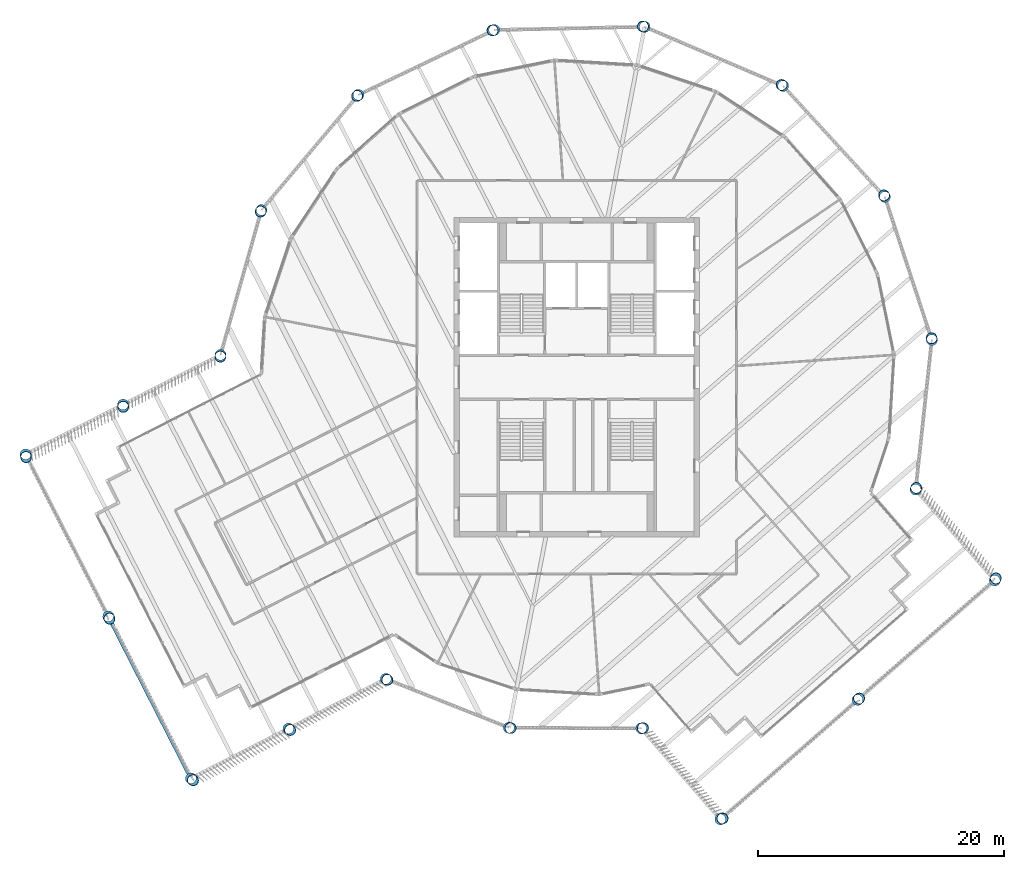
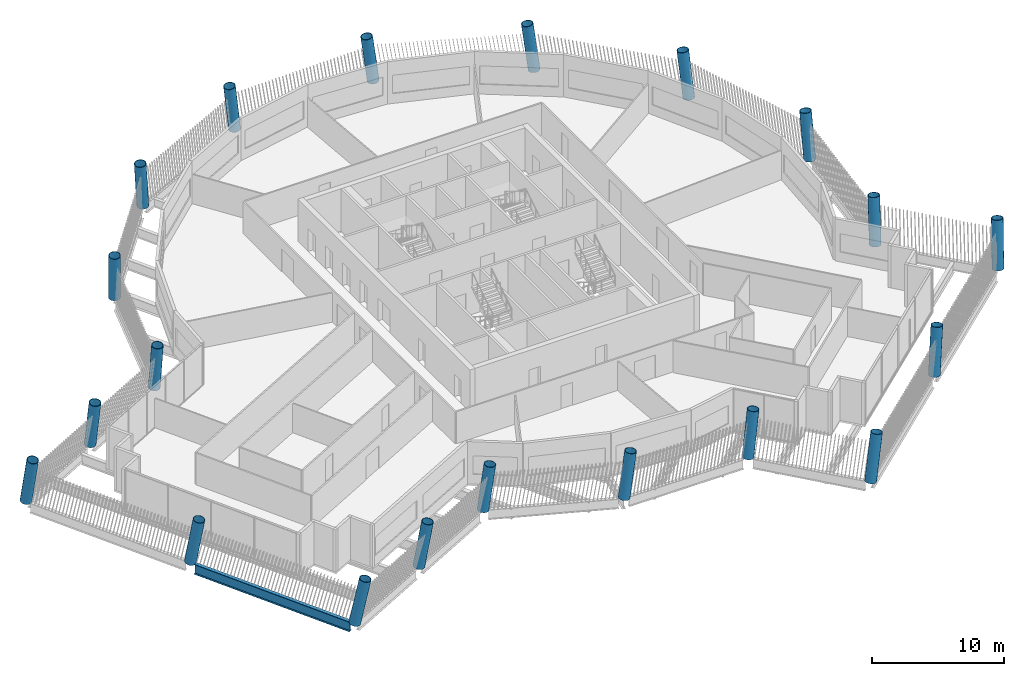
# One storey, part 1 of 28: 20 columns, 1 beam.
"""IFC4 building model written with IfcOpenShell, lengths in metres."""

from ifc_helpers import new_model, si_unit, direction, frame, origin, origin_2d, place, context, subcontext, project, spatial, hollow_circle, i_section, extrude, material, material_profile, profile_set, type_object, element, save


model = new_model("IFC4")

# Units and contexts
model_context = context("Model", 3, precision=1e-05, world=origin(), true_north=direction((0.0, 1.0)))
body_context = subcontext(model_context, "Body", "Model", "MODEL_VIEW")
ifc_project = project(units=[si_unit("LENGTHUNIT", "METRE"), si_unit("AREAUNIT", "SQUARE_METRE"), si_unit("VOLUMEUNIT", "CUBIC_METRE"), si_unit("PLANEANGLEUNIT", "RADIAN"), si_unit("MASSUNIT", "GRAM", prefix="KILO")], contexts=[model_context])

# Site, building, storey
site_placement = place(None, origin())
site = spatial("IfcSite", under=ifc_project, at=site_placement, CompositionType="ELEMENT")
building_placement = place(site_placement, origin())
building = spatial("IfcBuilding", under=site, at=building_placement, Name="Tarsis Ring Headquarters", CompositionType="ELEMENT")
storey_placement = place(building_placement, frame((0.0, 0.0, 394.39990234375)))
storey = spatial("IfcBuildingStorey", under=building, at=storey_placement, Name="L93", CompositionType="ELEMENT", Elevation=394.39990234375)

# Columns
ifc_material = material(Name="Structural steel S355", Category="steel")
ifc_material_profile_1 = material_profile(ifc_material, hollow_circle(Radius=0.45703125, WallThickness=0.0400390625, at=origin_2d()), Name="CHS 914x40")
ifc_profile_set_1 = profile_set([ifc_material_profile_1], Name="Structural steel S355")
column_type = type_object("IfcColumnType", Name="XC Exo column CHS 914x40", PredefinedType="COLUMN", material=ifc_profile_set_1)
for number, where, z_axis, x_axis, name in (
    (1, (-5.522705078125, -28.518798828125, 0.001220703125), (0.122495458214, -0.022534541841, 0.992213211533), (0.180926272697, 0.983496661839, 0.0), "Exo column XC8 F1"),
    (2, (5.2490234375, -28.5703125, 0.001220703125), (0.122264694534, 0.023632448045, 0.992216131632), (-0.189776636023, 0.981827290525, 0.0), "Exo column XC8 AK"),
):
    element("IfcColumn", number, at=place(storey_placement, frame(where, z_axis=z_axis, x_axis=x_axis)), inside=storey, type_object=column_type, Name=name, PredefinedType="COLUMN", context=body_context, shape_type="SweptSolid", body=[
        extrude(hollow_circle(Radius=0.457275390625, WallThickness=0.0400390625, at=origin_2d()), origin(), (0.0, 0.0, 1.0), 4.225341796875),
    ])
column_1_placement = place(storey_placement, frame((11.6865234375, -35.96533203125, 0.001220703125), z_axis=(0.152946230193, 0.051231237256, 0.986905674824), x_axis=(-0.317617672164, 0.948218864149, 0.0)))
element("IfcColumn", 3, at=column_1_placement, inside=storey, type_object=column_type, Name="Exo column XC8 AT1", PredefinedType="COLUMN", context=body_context, shape_type="SweptSolid", body=[
    extrude(hollow_circle(Radius=0.457275390625, WallThickness=0.0400390625, at=origin_2d()), origin(), (0.0, 0.0, 1.0), 4.24609375),
])
column_2_placement = place(storey_placement, frame((22.849365234375, -26.247802734375, 0.001220703125), z_axis=(0.111289716594, 0.098674577912, 0.988877103919), x_axis=(-0.663425810057, 0.748242069487, 0.0)))
element("IfcColumn", 4, at=column_2_placement, inside=storey, type_object=column_type, Name="Exo column XC8 AT2", PredefinedType="COLUMN", context=body_context, shape_type="SweptSolid", body=[
    extrude(hollow_circle(Radius=0.457275390625, WallThickness=0.0400390625, at=origin_2d()), origin(), (0.0, 0.0, 1.0), 4.23828125),
])
column_3_placement = place(storey_placement, frame((34.01220703125, -16.5302734375, 0.001220703125), z_axis=(0.06917092269, 0.145701677553, 0.986907495469), x_axis=(-0.90336729093, 0.428867739143, 0.0)))
element("IfcColumn", 5, at=column_3_placement, inside=storey, type_object=column_type, Name="Exo column XC8 AT3", PredefinedType="COLUMN", context=body_context, shape_type="SweptSolid", body=[
    extrude(hollow_circle(Radius=0.457275390625, WallThickness=0.0400390625, at=origin_2d()), origin(), (0.0, 0.0, 1.0), 4.24609375),
])
for number, where, z_axis, x_axis, name in (
    (6, (27.57470703125, -9.13525390625, 0.001220703125), (0.038077693923, 0.118566658468, 0.992215720862), (-0.952105773084, 0.305768861824, 0.0), "Exo column XC8 AJ"),
    (7, (28.888671875, 3.042724609375, 0.001220703125), (-0.014156274833, 0.123766288542, 0.992210414027), (-0.993522203313, -0.11363816051, 0.0), "Exo column XC8 R1"),
    (8, (25.066162109375, 14.679931640625, 0.001220703125), (-0.063905730929, 0.106894757884, 0.992214476961), (-0.858310578199, -0.513130540264, 0.0), "Exo column XC8 R2"),
    (9, (16.786865234375, 23.70703125, 0.001220703125), (-0.102329867056, 0.071012651955, 0.992212578821), (-0.570126280506, -0.821557073049, 0.0), "Exo column XC8 R3"),
    (10, (5.522705078125, 28.518798828125, 0.001220703125), (-0.122495458214, 0.022534541841, 0.992213211533), (-0.180926272697, -0.983496661839, 0.0), "Exo column XC8 R4"),
    (11, (-6.723388671875, 28.259765625, 0.001220703125), (-0.120934875304, -0.029930370477, 0.992209115488), (0.24024327956, -0.970712710655, 0.0), "Exo column XC8 R5"),
    (12, (-17.774169921875, 22.97607421875, 0.001220703125), (-0.097822701594, -0.077137215965, 0.992209941981), (0.619193035099, -0.785238807807, 0.0), "Exo column XC8 R6"),
    (13, (-25.664306640625, 13.607177734375, 0.001220703125), (-0.057376128312, -0.110592053968, 0.992208333718), (0.88764922068, -0.460520206967, 0.0), "Exo column XC8 R7"),
    (14, (-28.991455078125, 1.81884765625, 0.001220703125), (-0.006702555215, -0.124401736011, 0.992209294368), (0.998551716267, -0.053800278257, 0.0), "Exo column XC8 BJ"),
):
    element("IfcColumn", number, at=place(storey_placement, frame(where, z_axis=z_axis, x_axis=x_axis)), inside=storey, type_object=column_type, Name=name, PredefinedType="COLUMN", context=body_context, shape_type="SweptSolid", body=[
        extrude(hollow_circle(Radius=0.457275390625, WallThickness=0.0400390625, at=origin_2d()), origin(), (0.0, 0.0, 1.0), 4.225341796875),
    ])
column_4_placement = place(storey_placement, frame((-36.920654296875, -2.228271484375, 0.001220703125), z_axis=(0.010930295052, -0.157453776624, 0.987465866183), x_axis=(0.99759916996, 0.069252408583, 0.0)))
element("IfcColumn", 15, at=column_4_placement, inside=storey, type_object=column_type, Name="Exo column XC8 BO1", PredefinedType="COLUMN", context=body_context, shape_type="SweptSolid", body=[
    extrude(hollow_circle(Radius=0.457275390625, WallThickness=0.0400390625, at=origin_2d()), origin(), (0.0, 0.0, 1.0), 4.243896484375),
])
column_5_placement = place(storey_placement, frame((-44.849609375, -6.275390625, 0.00146484375), z_axis=(0.028313771163, -0.190016864248, 0.981372468364), x_axis=(0.989080022434, 0.147379473542, 0.0)))
element("IfcColumn", 16, at=column_5_placement, inside=storey, type_object=column_type, Name="Exo column XC8 BT3", PredefinedType="COLUMN", context=body_context, shape_type="SweptSolid", body=[
    extrude(hollow_circle(Radius=0.457275390625, WallThickness=0.0400390625, at=origin_2d()), origin(), (0.0, 0.0, 1.0), 4.268310546875),
])
column_6_placement = place(storey_placement, frame((-38.121337890625, -19.45751953125, 0.00146484375), z_axis=(0.084125742834, -0.16126010922, 0.983319905507), x_axis=(0.886607316688, 0.462522935642, 0.0)))
element("IfcColumn", 17, at=column_6_placement, inside=storey, type_object=column_type, Name="Exo column XC8 BT2", PredefinedType="COLUMN", context=body_context, shape_type="SweptSolid", body=[
    extrude(hollow_circle(Radius=0.457275390625, WallThickness=0.0400390625, at=origin_2d()), origin(), (0.0, 0.0, 1.0), 4.26025390625),
])
column_7_placement = place(storey_placement, frame((-31.39306640625, -32.639892578125, 0.00146484375), z_axis=(0.139626173638, -0.131846919392, 0.981387243387), x_axis=(0.686562306896, 0.727070972292, 0.0)))
element("IfcColumn", 18, at=column_7_placement, inside=storey, type_object=column_type, Name="Exo column XC8 BT1", PredefinedType="COLUMN", context=body_context, shape_type="SweptSolid", body=[
    extrude(hollow_circle(Radius=0.457275390625, WallThickness=0.0400390625, at=origin_2d()), origin(), (0.0, 0.0, 1.0), 4.26806640625),
])
column_8_placement = place(storey_placement, frame((-23.4638671875, -28.5927734375, 0.001220703125), z_axis=(0.122880123711, -0.099005942372, 0.987470657069), x_axis=(0.627403231265, 0.778694539211, 0.0)))
element("IfcColumn", 19, at=column_8_placement, inside=storey, type_object=column_type, Name="Exo column XC8 BI1", PredefinedType="COLUMN", context=body_context, shape_type="SweptSolid", body=[
    extrude(hollow_circle(Radius=0.457275390625, WallThickness=0.0400390625, at=origin_2d()), origin(), (0.0, 0.0, 1.0), 4.243896484375),
])
column_9_placement = place(storey_placement, frame((-15.534912109375, -24.545654296875, 0.001220703125), z_axis=(0.105854526902, -0.065639051616, 0.992212847144), x_axis=(0.526993282669, 0.849869448811, 0.0)))
element("IfcColumn", 20, at=column_9_placement, inside=storey, type_object=column_type, Name="Exo column XC8 BK", PredefinedType="COLUMN", context=body_context, shape_type="SweptSolid", body=[
    extrude(hollow_circle(Radius=0.457275390625, WallThickness=0.0400390625, at=origin_2d()), origin(), (0.0, 0.0, 1.0), 4.225341796875),
])

# Beam
ifc_material_profile_2 = material_profile(ifc_material, i_section(OverallWidth=0.3046875, OverallDepth=0.91943359375, WebThickness=0.017333984375, FlangeThickness=0.02783203125, at=origin_2d()), Name="W36x170")
ifc_profile_set_2 = profile_set([ifc_material_profile_2], Name="Structural steel S355")
beam_type = type_object("IfcBeamType", Name="XG Ring girder W36x170", PredefinedType="BEAM", material=ifc_profile_set_2)
beam_placement = place(storey_placement, frame((-37.934326171875, -19.823974609375, -0.459716796875), z_axis=(0.454604406572, -0.890693456541, 0.0), x_axis=(0.890693456541, 0.454604406572, 0.0)))
element("IfcBeam", 21, at=beam_placement, inside=storey, type_object=beam_type, Name="Ring girder XG4", PredefinedType="BEAM", context=body_context, shape_type="SweptSolid", body=[
    extrude(i_section(OverallWidth=0.3046875, OverallDepth=0.91943359375, WebThickness=0.017333984375, FlangeThickness=0.02783203125, at=origin_2d()), origin(), (0.0, 0.0, 1.0), 13.97705078125),
])

save(model, "model.ifc")
